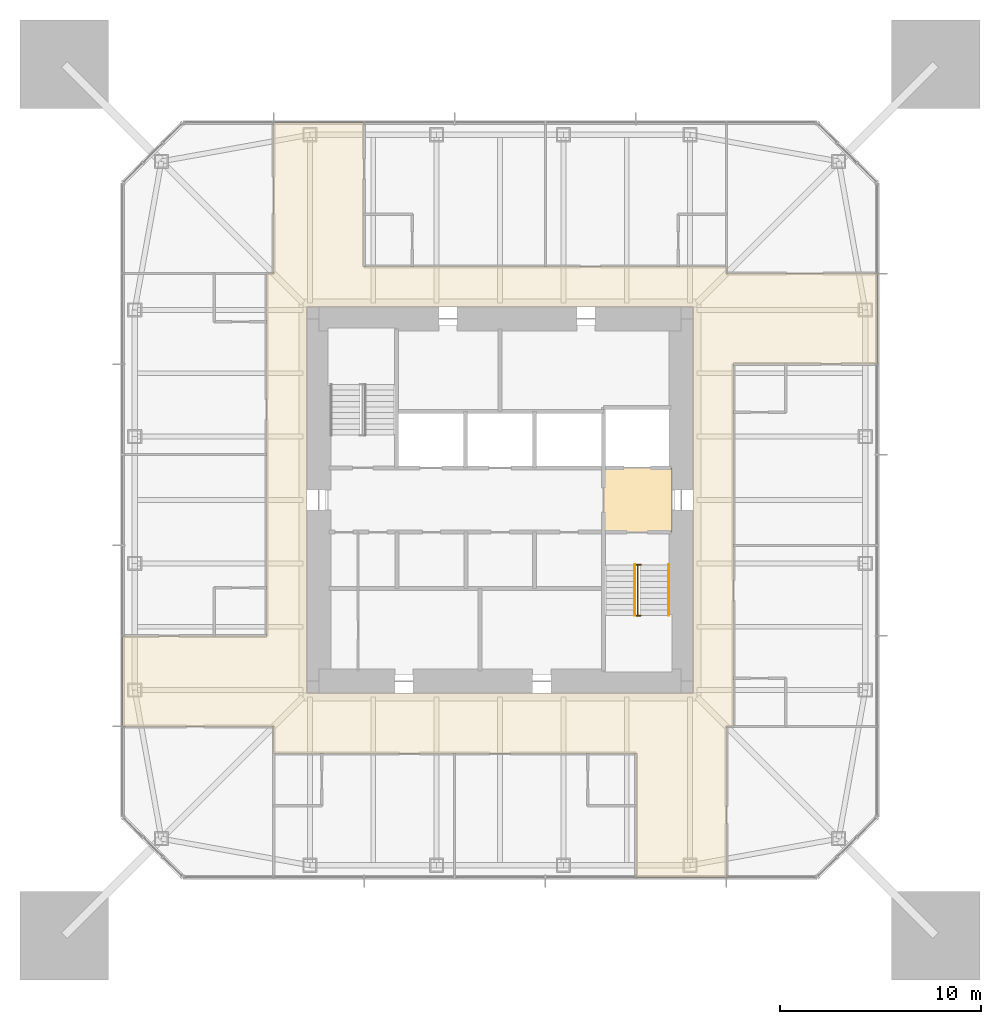
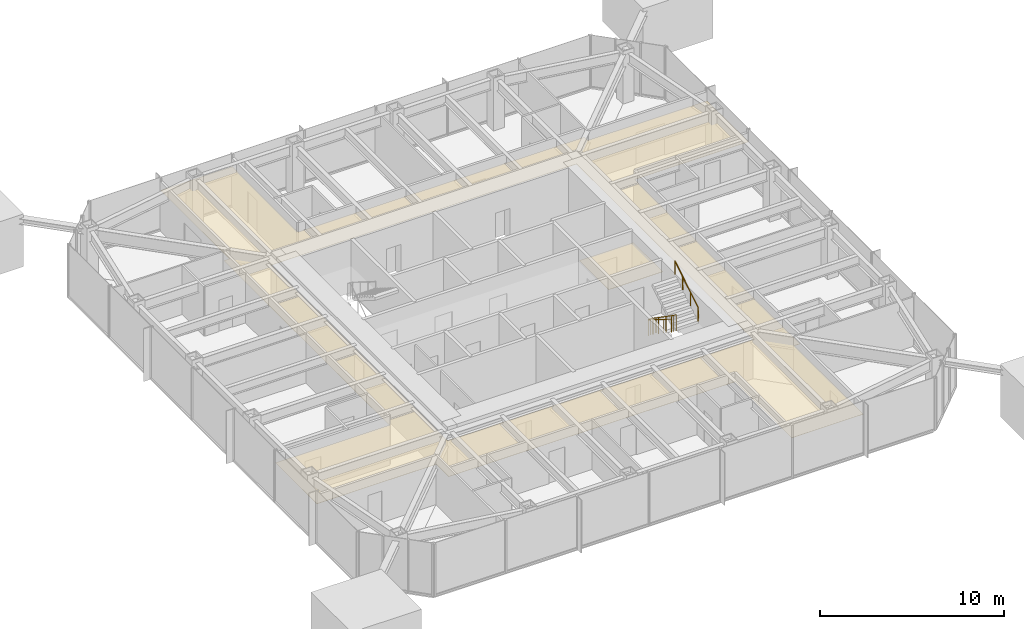
# One storey, part 10 of 11: 3 railings, 2 coverings.
"""IFC4 building model written with IfcOpenShell, lengths in metres."""

from ifc_helpers import new_model, si_unit, direction, frame, origin, origin_2d, place, context, subcontext, project, spatial, polyline, circle, outline, extrude, material, layer, layer_set, constituent, constituent_set, type_object, element, save


model = new_model("IFC4")

# Units and contexts
model_context = context("Model", 3, precision=1e-05, world=origin(), true_north=direction((0.0, 1.0)))
body_context = subcontext(model_context, "Body", "Model", "MODEL_VIEW")
ifc_project = project(units=[si_unit("LENGTHUNIT", "METRE"), si_unit("AREAUNIT", "SQUARE_METRE"), si_unit("VOLUMEUNIT", "CUBIC_METRE"), si_unit("PLANEANGLEUNIT", "RADIAN"), si_unit("MASSUNIT", "GRAM", prefix="KILO")], contexts=[model_context])

# Site, building, storey
site_placement = place(None, origin())
site = spatial("IfcSite", under=ifc_project, at=site_placement, CompositionType="ELEMENT")
building_placement = place(site_placement, origin())
building = spatial("IfcBuilding", under=site, at=building_placement, Name="Iwan Alto Co-Living Towers", CompositionType="ELEMENT")
storey_placement = place(building_placement, frame((0.0, 0.0, 195.0)))
storey = spatial("IfcBuildingStorey", under=building, at=storey_placement, Name="L53", CompositionType="ELEMENT", Elevation=195.0)

# Covering
ifc_material_1 = material(Name="Mineral fibre acoustic tiles on steel grid", Category="steel")
ifc_layer_1 = layer(ifc_material_1, 0.02001953125)
ifc_layer_set_1 = layer_set([ifc_layer_1], Name="ACOUSTIC TILE CEILING 20")
covering_type_1 = type_object("IfcCoveringType", Name="ACOUSTIC TILE CEILING 20", PredefinedType="CEILING", material=ifc_layer_set_1)
covering_1_placement = place(storey_placement, frame((0.0, 0.0, 2.60009765625)))
element("IfcCovering", 1, at=covering_1_placement, inside=storey, type_object=covering_type_1, Name="Ceiling Firefighting lobby L53", PredefinedType="CEILING", context=body_context, shape_type="SweptSolid", body=[
    extrude(outline(polyline([(5.14990234375, -1.60009765625), (5.14990234375, 1.60009765625), (8.550048828125, 1.60009765625), (8.550048828125, -1.60009765625), (5.14990234375, -1.60009765625)])), origin(), (0.0, 0.0, 1.0), 0.02001953125),
])

# Railings
ifc_material_2 = material(Name="Steel ASTM A500 Gr C", Category="steel")
ifc_constituent_1 = constituent(ifc_material_2, Name="Rails and posts", Category="Framing")
ifc_material_3 = material(Name="Steel ASTM A36", Category="steel")
ifc_constituent_2 = constituent(ifc_material_3, Name="Bar infill", Category="Infill")
ifc_constituent_set = constituent_set(constituents=[ifc_constituent_1, ifc_constituent_2], Name="STAIR GUARD 1100")
railing_type_1 = type_object("IfcRailingType", Name="STAIR GUARD 1100", PredefinedType="GUARDRAIL", material=ifc_constituent_set)
railing_1_placement = place(storey_placement, frame((6.85009765625, -3.219970703125, 0.0)))
element("IfcRailing", 2, at=railing_1_placement, inside=storey, type_object=railing_type_1, Name="Stair T1-S2 well guard L53", PredefinedType="GUARDRAIL", context=body_context, shape_type="SweptSolid", body=[
    extrude(circle(Radius=0.02392578125, at=origin_2d()), frame((0.0, 0.0, 1.076171875), z_axis=(0.0, -0.821372036852, 0.570392826987), x_axis=(1.0, 0.0, 0.0)), (0.0, 0.0, 1.0), 3.068115234375),
    extrude(circle(Radius=0.02392578125, at=origin_2d()), frame((-0.150146484375, 0.0, 1.076171875), z_axis=(1.0, 0.0, 0.0), x_axis=(0.0, 1.0, 0.0)), (0.0, 0.0, 1.0), 0.300048828125),
    extrude(circle(Radius=0.02392578125, at=origin_2d()), frame((-0.150146484375, -2.52001953125, 2.826171875), z_axis=(1.0, 0.0, 0.0), x_axis=(0.0, 1.0, 0.0)), (0.0, 0.0, 1.0), 0.300048828125),
    extrude(circle(Radius=0.02099609375, at=origin_2d()), origin(), (0.0, 0.0, 1.0), 1.052001953125),
    extrude(circle(Radius=0.02099609375, at=origin_2d()), frame((0.0, -0.840087890625, 0.583251953125)), (0.0, 0.0, 1.0), 1.052001953125),
    extrude(circle(Radius=0.02099609375, at=origin_2d()), frame((0.0, -1.679931640625, 1.166748046875)), (0.0, 0.0, 1.0), 1.052001953125),
    extrude(circle(Radius=0.02099609375, at=origin_2d()), frame((0.0, -2.52001953125, 1.75)), (0.0, 0.0, 1.0), 1.052001953125),
    extrude(circle(Radius=0.02099609375, at=origin_2d()), frame((-0.150146484375, 0.0, 0.0)), (0.0, 0.0, 1.0), 1.052001953125),
    extrude(circle(Radius=0.02099609375, at=origin_2d()), frame((0.14990234375, 0.0, 0.0)), (0.0, 0.0, 1.0), 1.052001953125),
    extrude(circle(Radius=0.02099609375, at=origin_2d()), frame((-0.150146484375, -2.52001953125, 1.75)), (0.0, 0.0, 1.0), 1.052001953125),
    extrude(circle(Radius=0.02099609375, at=origin_2d()), frame((0.14990234375, -2.52001953125, 1.75)), (0.0, 0.0, 1.0), 1.052001953125),
])
ifc_material_4 = material(Name="Steel ASTM A500 Gr C", Category="steel")
railing_type_2 = type_object("IfcRailingType", Name="STAIR HANDRAIL 900", PredefinedType="HANDRAIL", material=ifc_material_4)
railing_2_placement = place(storey_placement, frame((6.699951171875, -3.219970703125, 0.175048828125)))
element("IfcRailing", 3, at=railing_2_placement, inside=storey, type_object=railing_type_2, Name="Stair T1-S2 handrail 1 L53", PredefinedType="HANDRAIL", context=body_context, shape_type="SweptSolid", body=[
    extrude(circle(Radius=0.02392578125, at=origin_2d()), frame((0.0, 0.0, 0.8759765625), z_axis=(0.0, -0.848007534815, 0.529984170421), x_axis=(1.0, 0.0, 0.0)), (0.0, 0.0, 1.0), 2.9716796875),
    extrude(circle(Radius=0.02099609375, at=origin_2d()), origin(), (0.0, 0.0, 1.0), 0.851806640625),
    extrude(circle(Radius=0.02099609375, at=origin_2d()), frame((0.0, -0.840087890625, 0.52490234375)), (0.0, 0.0, 1.0), 0.851806640625),
    extrude(circle(Radius=0.02099609375, at=origin_2d()), frame((0.0, -1.679931640625, 1.050048828125)), (0.0, 0.0, 1.0), 0.851806640625),
    extrude(circle(Radius=0.02099609375, at=origin_2d()), frame((0.0, -2.52001953125, 1.574951171875)), (0.0, 0.0, 1.0), 0.851806640625),
])
railing_3_placement = place(storey_placement, frame((8.3798828125, -5.739990234375, 1.925048828125)))
element("IfcRailing", 4, at=railing_3_placement, inside=storey, type_object=railing_type_2, Name="Stair T1-S2 handrail 2 L53", PredefinedType="HANDRAIL", context=body_context, shape_type="SweptSolid", body=[
    extrude(circle(Radius=0.02392578125, at=origin_2d()), frame((0.0, 0.0, 0.8759765625), z_axis=(0.0, 0.848007534815, 0.529984170421), x_axis=(-1.0, 0.0, 0.0)), (0.0, 0.0, 1.0), 2.9716796875),
    extrude(circle(Radius=0.02099609375, at=origin_2d()), origin(), (0.0, 0.0, 1.0), 0.851806640625),
    extrude(circle(Radius=0.02099609375, at=origin_2d()), frame((0.0, 0.840087890625, 0.52490234375)), (0.0, 0.0, 1.0), 0.851806640625),
    extrude(circle(Radius=0.02099609375, at=origin_2d()), frame((0.0, 1.679931640625, 1.050048828125)), (0.0, 0.0, 1.0), 0.851806640625),
    extrude(circle(Radius=0.02099609375, at=origin_2d()), frame((0.0, 2.52001953125, 1.574951171875)), (0.0, 0.0, 1.0), 0.851806640625),
])

# Covering
ifc_material_5 = material(Name="Gypsum plasterboard on steel grid", Category="steel")
ifc_layer_2 = layer(ifc_material_5, 0.014892578125)
ifc_layer_set_2 = layer_set([ifc_layer_2], Name="SUSPENDED PLASTERBOARD CEILING 15")
covering_type_2 = type_object("IfcCoveringType", Name="SUSPENDED PLASTERBOARD CEILING 15", PredefinedType="CEILING", material=ifc_layer_set_2)
covering_2_placement = place(storey_placement, frame((0.0, 0.0, 2.60009765625)))
element("IfcCovering", 5, at=covering_2_placement, inside=storey, type_object=covering_type_2, Name="Ceiling Corridor L53", PredefinedType="CEILING", context=body_context, shape_type="SweptSolid", body=[
    extrude(outline(polyline([(-18.75, -6.75), (-11.60009765625, -6.75), (-11.60009765625, 11.25), (-11.25, 11.25), (-11.25, 11.60009765625), (-11.25, 18.75), (-6.75, 18.75), (-6.75, 11.60009765625), (11.25, 11.60009765625), (11.25, 11.25), (11.60009765625, 11.25), (18.75, 11.25), (18.75, 6.75), (11.60009765625, 6.75), (11.60009765625, -11.25), (11.25, -11.25), (11.25, -12.60009765625), (11.25, -18.75), (6.75, -18.75), (6.75, -12.60009765625), (-11.25, -12.60009765625), (-11.25, -11.25), (-11.60009765625, -11.25), (-18.75, -11.25), (-18.75, -6.75)]), holes=[polyline([(9.60009765625, 9.60009765625), (-9.60009765625, 9.60009765625), (-9.60009765625, -9.60009765625), (9.60009765625, -9.60009765625), (9.60009765625, 9.60009765625)])]), origin(), (0.0, 0.0, 1.0), 0.014892578125),
])

save(model, "model.ifc")
